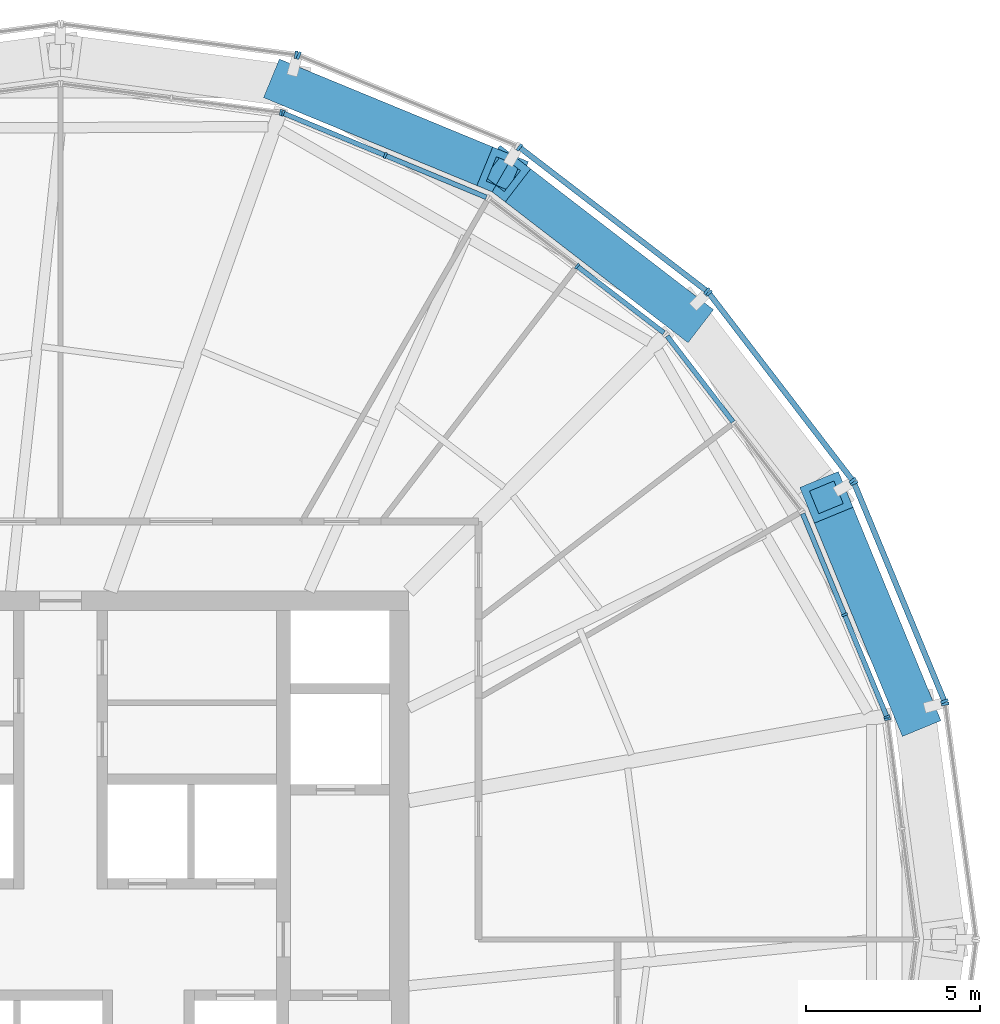
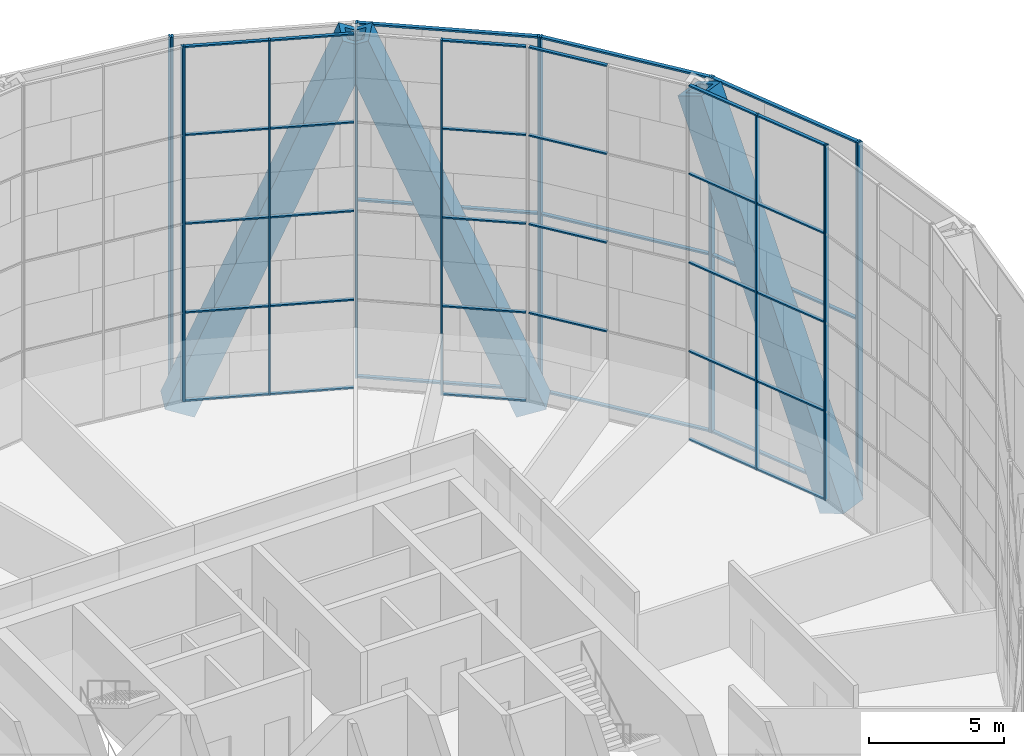
# One storey, part 11 of 30: 57 members, 12 elements without a shape of their own.
"""IFC4 building model written with IfcOpenShell, lengths in metres."""

from ifc_helpers import new_model, si_unit, direction, frame, origin, origin_2d, place, context, subcontext, project, spatial, rectangle, hollow_rectangle, extrude, material, material_profile, profile_set, type_object, element, aggregate, save


model = new_model("IFC4")

# Units and contexts
model_context = context("Model", 3, precision=1e-05, world=origin(), true_north=direction((0.0, 1.0)))
body_context = subcontext(model_context, "Body", "Model", "MODEL_VIEW")
ifc_project = project(units=[si_unit("LENGTHUNIT", "METRE"), si_unit("AREAUNIT", "SQUARE_METRE"), si_unit("VOLUMEUNIT", "CUBIC_METRE"), si_unit("PLANEANGLEUNIT", "RADIAN"), si_unit("MASSUNIT", "GRAM", prefix="KILO")], contexts=[model_context])

# Site, building, storey
site_placement = place(None, origin())
site = spatial("IfcSite", under=ifc_project, at=site_placement, CompositionType="ELEMENT")
building_placement = place(site_placement, origin())
building = spatial("IfcBuilding", under=site, at=building_placement, Name="Golbaran Civic Tower", CompositionType="ELEMENT")
storey_placement = place(building_placement, frame((0.0, 0.0, 102.0)))
storey = spatial("IfcBuildingStorey", under=building, at=storey_placement, Name="L24", CompositionType="ELEMENT", Elevation=102.0)

# Members
ifc_material_1 = material(Name="Steel S355", Category="steel")
ifc_material_profile_1 = material_profile(ifc_material_1, hollow_rectangle(XDim=1.199951171875, YDim=1.199951171875, WallThickness=0.219970703125, at=origin_2d()), Name="BOX 1200x1200x220")
ifc_profile_set_1 = profile_set([ifc_material_profile_1], Name="Steel S355")
member_type_1 = type_object("IfcMemberType", Name="DIAGRID DIAGONAL BOX 1200x1200x220", PredefinedType="BRACE", material=ifc_profile_set_1)
member_1_placement = place(storey_placement, frame((24.51611328125, 6.569091796875, -0.7099609375), z_axis=(-0.145808380158, 0.353814050585, 0.923880692451), x_axis=(-0.924567435583, -0.381018447137, 0.0)))
element("IfcMember", 1, at=member_1_placement, inside=storey, type_object=member_type_1, Name="Diagonal D05-00R L24-L28", PredefinedType="BRACE", context=body_context, shape_type="SweptSolid", body=[
    extrude(hollow_rectangle(XDim=1.199951171875, YDim=1.199951171875, WallThickness=0.219970703125, at=origin_2d()), origin(), (0.0, 0.0, 1.0), 17.318359375),
])
member_2_placement = place(storey_placement, frame((17.947021484375, 17.947021484375, -0.7099609375), z_axis=(-0.303176942092, 0.233507991668, 0.923881897003), x_axis=(-0.61019489003, -0.792251346595, 0.0)))
element("IfcMember", 2, at=member_2_placement, inside=storey, type_object=member_type_1, Name="Diagonal D05-01R L24-L28", PredefinedType="BRACE", context=body_context, shape_type="SweptSolid", body=[
    extrude(hollow_rectangle(XDim=1.199951171875, YDim=1.199951171875, WallThickness=0.219970703125, at=origin_2d()), origin(), (0.0, 0.0, 1.0), 17.318115234375),
])
member_3_placement = place(storey_placement, frame((6.569091796875, 24.51611328125, -0.7099609375), z_axis=(0.353814050585, -0.145808380158, 0.923880692451), x_axis=(0.381018447137, 0.924567435583, 0.0)))
element("IfcMember", 3, at=member_3_placement, inside=storey, type_object=member_type_1, Name="Diagonal D05-02L L24-L28", PredefinedType="BRACE", context=body_context, shape_type="SweptSolid", body=[
    extrude(hollow_rectangle(XDim=1.199951171875, YDim=1.199951171875, WallThickness=0.219970703125, at=origin_2d()), origin(), (0.0, 0.0, 1.0), 17.318359375),
])

# Curtain wall, member
ifc_material_2 = material(Name="Aluminium and glass", Category="aluminium")
curtain_wall_type_1 = type_object("IfcCurtainWallType", Name="INNER SKIN CURTAIN WALL", PredefinedType="NOTDEFINED", material=ifc_material_2)
curtain_wall_1_placement = place(storey_placement, origin())
curtain_wall_1 = element("IfcCurtainWall", 4, at=curtain_wall_1_placement, inside=storey, type_object=curtain_wall_type_1, Name="Inner skin L24 facet 1 CW1", ObjectType="INNER SKIN", PredefinedType="USERDEFINED")
ifc_material_3 = material(Name="Aluminium", Category="aluminium")
ifc_material_profile_2 = material_profile(ifc_material_3, rectangle(XDim=0.179931640625, YDim=0.06494140625, at=origin_2d()), Name="INNER SKIN CURTAIN WALL MULLION")
ifc_profile_set_2 = profile_set([ifc_material_profile_2], Name="Aluminium")
member_type_2 = type_object("IfcMemberType", Name="INNER SKIN CURTAIN WALL MULLION", PredefinedType="MULLION", material=ifc_profile_set_2)
member_4_placement = place(storey_placement, frame((23.744873046875, 6.3291015625, 0.0), z_axis=(0.0, 0.0, 1.0), x_axis=(-0.991444861385, -0.130526192134, 0.0)))
member_4 = element("IfcMember", 5, at=member_4_placement, type_object=member_type_2, Name="CW1 mullion 3", PredefinedType="MULLION", context=body_context, shape_type="SweptSolid", body=[
    extrude(rectangle(XDim=0.179931640625, YDim=0.06494140625, at=origin_2d()), origin(), (0.0, 0.0, 1.0), 16.0),
])
aggregate(curtain_wall_1, [member_4])

# Curtain wall, members
curtain_wall_2_placement = place(storey_placement, origin())
curtain_wall_2 = element("IfcCurtainWall", 6, at=curtain_wall_2_placement, inside=storey, type_object=curtain_wall_type_1, Name="Inner skin L24 facet 2 CW1", ObjectType="INNER SKIN", PredefinedType="USERDEFINED")
member_5_placement = place(storey_placement, frame((23.72802734375, 6.391357421875, 0.0), z_axis=(0.0, 0.0, 1.0), x_axis=(-0.923879532465, -0.382683432478, 0.0)))
member_5 = element("IfcMember", 7, at=member_5_placement, type_object=member_type_2, Name="CW1 mullion 1", PredefinedType="MULLION", context=body_context, shape_type="SweptSolid", body=[
    extrude(rectangle(XDim=0.179931640625, YDim=0.06494140625, at=origin_2d()), origin(), (0.0, 0.0, 1.0), 16.0),
])
member_6_placement = place(storey_placement, frame((22.512939453125, 9.3251953125, 0.0), z_axis=(0.0, 0.0, 1.0), x_axis=(-0.923879532465, -0.382683432478, 0.0)))
member_6 = element("IfcMember", 8, at=member_6_placement, type_object=member_type_2, Name="CW1 mullion 2", PredefinedType="MULLION", context=body_context, shape_type="SweptSolid", body=[
    extrude(rectangle(XDim=0.179931640625, YDim=0.06494140625, at=origin_2d()), origin(), (0.0, 0.0, 1.0), 16.0),
])

# Curtain wall, member
curtain_wall_3_placement = place(storey_placement, origin())
curtain_wall_3 = element("IfcCurtainWall", 9, at=curtain_wall_3_placement, inside=storey, type_object=curtain_wall_type_1, Name="Inner skin L24 facet 4 CW1", ObjectType="INNER SKIN", PredefinedType="USERDEFINED")
member_7_placement = place(storey_placement, frame((14.834228515625, 19.332275390625, 0.0), z_axis=(0.0, 0.0, 1.0), x_axis=(-0.608761428995, -0.793353340302, 0.0)))
member_7 = element("IfcMember", 10, at=member_7_placement, type_object=member_type_2, Name="CW1 mullion 2", PredefinedType="MULLION", context=body_context, shape_type="SweptSolid", body=[
    extrude(rectangle(XDim=0.179931640625, YDim=0.06494140625, at=origin_2d()), origin(), (0.0, 0.0, 1.0), 16.0),
])

# Curtain wall, members
curtain_wall_4_placement = place(storey_placement, origin())
curtain_wall_4 = element("IfcCurtainWall", 11, at=curtain_wall_4_placement, inside=storey, type_object=curtain_wall_type_1, Name="Inner skin L24 facet 5 CW1", ObjectType="INNER SKIN", PredefinedType="USERDEFINED")
member_8_placement = place(storey_placement, frame((9.3251953125, 22.512939453125, 0.0), z_axis=(0.0, 0.0, 1.0), x_axis=(-0.382683432478, -0.923879532465, 0.0)))
member_8 = element("IfcMember", 12, at=member_8_placement, type_object=member_type_2, Name="CW1 mullion 2", PredefinedType="MULLION", context=body_context, shape_type="SweptSolid", body=[
    extrude(rectangle(XDim=0.179931640625, YDim=0.06494140625, at=origin_2d()), origin(), (0.0, 0.0, 1.0), 16.0),
])
member_9_placement = place(storey_placement, frame((6.391357421875, 23.72802734375, 0.0), z_axis=(0.0, 0.0, 1.0), x_axis=(-0.382683432478, -0.923879532465, 0.0)))
member_9 = element("IfcMember", 13, at=member_9_placement, type_object=member_type_2, Name="CW1 mullion 3", PredefinedType="MULLION", context=body_context, shape_type="SweptSolid", body=[
    extrude(rectangle(XDim=0.179931640625, YDim=0.06494140625, at=origin_2d()), origin(), (0.0, 0.0, 1.0), 16.0),
])

# Curtain wall, member
curtain_wall_5_placement = place(storey_placement, origin())
curtain_wall_5 = element("IfcCurtainWall", 14, at=curtain_wall_5_placement, inside=storey, type_object=curtain_wall_type_1, Name="Inner skin L24 facet 6 CW1", ObjectType="INNER SKIN", PredefinedType="USERDEFINED")
member_10_placement = place(storey_placement, frame((6.3291015625, 23.744873046875, 0.0), z_axis=(0.0, 0.0, 1.0), x_axis=(-0.130526192134, -0.991444861385, 0.0)))
member_10 = element("IfcMember", 15, at=member_10_placement, type_object=member_type_2, Name="CW1 mullion 1", PredefinedType="MULLION", context=body_context, shape_type="SweptSolid", body=[
    extrude(rectangle(XDim=0.179931640625, YDim=0.06494140625, at=origin_2d()), origin(), (0.0, 0.0, 1.0), 16.0),
])
aggregate(curtain_wall_5, [member_10])

# Member
ifc_material_profile_3 = material_profile(ifc_material_3, rectangle(XDim=0.139892578125, YDim=0.06494140625, at=origin_2d()), Name="INNER SKIN CURTAIN WALL TRANSOM")
ifc_profile_set_3 = profile_set([ifc_material_profile_3], Name="Aluminium")
member_type_3 = type_object("IfcMemberType", Name="INNER SKIN CURTAIN WALL TRANSOM", PredefinedType="USERDEFINED", material=ifc_profile_set_3)
member_11_placement = place(storey_placement, frame((23.715576171875, 6.42138671875, 0.032470703125), z_axis=(-0.382636009992, 0.923899174075, 0.0), x_axis=(-0.923899174075, -0.382636009992, 0.0)))
member_11 = element("IfcMember", 16, at=member_11_placement, type_object=member_type_3, Name="CW1 transom 1.1", ObjectType="TRANSOM", PredefinedType="USERDEFINED", context=body_context, shape_type="SweptSolid", body=[
    extrude(rectangle(XDim=0.139892578125, YDim=0.06494140625, at=origin_2d()), origin(), (0.0, 0.0, 1.0), 3.110595703125),
])

member_12_placement = place(storey_placement, frame((23.715576171875, 6.42138671875, 4.0), z_axis=(-0.382636009992, 0.923899174075, 0.0), x_axis=(-0.923899174075, -0.382636009992, 0.0)))
member_12 = element("IfcMember", 17, at=member_12_placement, type_object=member_type_3, Name="CW1 transom 1.2", ObjectType="TRANSOM", PredefinedType="USERDEFINED", context=body_context, shape_type="SweptSolid", body=[
    extrude(rectangle(XDim=0.139892578125, YDim=0.06494140625, at=origin_2d()), origin(), (0.0, 0.0, 1.0), 3.110595703125),
])

member_13_placement = place(storey_placement, frame((23.715576171875, 6.42138671875, 8.0), z_axis=(-0.382636009992, 0.923899174075, 0.0), x_axis=(-0.923899174075, -0.382636009992, 0.0)))
member_13 = element("IfcMember", 18, at=member_13_placement, type_object=member_type_3, Name="CW1 transom 1.3", ObjectType="TRANSOM", PredefinedType="USERDEFINED", context=body_context, shape_type="SweptSolid", body=[
    extrude(rectangle(XDim=0.139892578125, YDim=0.06494140625, at=origin_2d()), origin(), (0.0, 0.0, 1.0), 3.110595703125),
])

member_14_placement = place(storey_placement, frame((23.715576171875, 6.42138671875, 12.0), z_axis=(-0.382636009992, 0.923899174075, 0.0), x_axis=(-0.923899174075, -0.382636009992, 0.0)))
member_14 = element("IfcMember", 19, at=member_14_placement, type_object=member_type_3, Name="CW1 transom 1.4", ObjectType="TRANSOM", PredefinedType="USERDEFINED", context=body_context, shape_type="SweptSolid", body=[
    extrude(rectangle(XDim=0.139892578125, YDim=0.06494140625, at=origin_2d()), origin(), (0.0, 0.0, 1.0), 3.110595703125),
])

member_15_placement = place(storey_placement, frame((23.715576171875, 6.42138671875, 15.967529296875), z_axis=(-0.382636009992, 0.923899174075, 0.0), x_axis=(-0.923899174075, -0.382636009992, 0.0)))
member_15 = element("IfcMember", 20, at=member_15_placement, type_object=member_type_3, Name="CW1 transom 1.5", ObjectType="TRANSOM", PredefinedType="USERDEFINED", context=body_context, shape_type="SweptSolid", body=[
    extrude(rectangle(XDim=0.139892578125, YDim=0.06494140625, at=origin_2d()), origin(), (0.0, 0.0, 1.0), 3.110595703125),
])

member_16_placement = place(storey_placement, frame((22.50048828125, 9.355224609375, 0.032470703125), z_axis=(-0.382703004748, 0.923871425122, 0.0), x_axis=(-0.923871425122, -0.382703004748, 0.0)))
member_16 = element("IfcMember", 21, at=member_16_placement, type_object=member_type_3, Name="CW1 transom 2.1", ObjectType="TRANSOM", PredefinedType="USERDEFINED", context=body_context, shape_type="SweptSolid", body=[
    extrude(rectangle(XDim=0.139892578125, YDim=0.06494140625, at=origin_2d()), origin(), (0.0, 0.0, 1.0), 3.110595703125),
])

member_17_placement = place(storey_placement, frame((22.50048828125, 9.355224609375, 4.0), z_axis=(-0.382703004748, 0.923871425122, 0.0), x_axis=(-0.923871425122, -0.382703004748, 0.0)))
member_17 = element("IfcMember", 22, at=member_17_placement, type_object=member_type_3, Name="CW1 transom 2.2", ObjectType="TRANSOM", PredefinedType="USERDEFINED", context=body_context, shape_type="SweptSolid", body=[
    extrude(rectangle(XDim=0.139892578125, YDim=0.06494140625, at=origin_2d()), origin(), (0.0, 0.0, 1.0), 3.110595703125),
])

member_18_placement = place(storey_placement, frame((22.50048828125, 9.355224609375, 8.0), z_axis=(-0.382703004748, 0.923871425122, 0.0), x_axis=(-0.923871425122, -0.382703004748, 0.0)))
member_18 = element("IfcMember", 23, at=member_18_placement, type_object=member_type_3, Name="CW1 transom 2.3", ObjectType="TRANSOM", PredefinedType="USERDEFINED", context=body_context, shape_type="SweptSolid", body=[
    extrude(rectangle(XDim=0.139892578125, YDim=0.06494140625, at=origin_2d()), origin(), (0.0, 0.0, 1.0), 3.110595703125),
])

member_19_placement = place(storey_placement, frame((22.50048828125, 9.355224609375, 12.0), z_axis=(-0.382703004748, 0.923871425122, 0.0), x_axis=(-0.923871425122, -0.382703004748, 0.0)))
member_19 = element("IfcMember", 24, at=member_19_placement, type_object=member_type_3, Name="CW1 transom 2.4", ObjectType="TRANSOM", PredefinedType="USERDEFINED", context=body_context, shape_type="SweptSolid", body=[
    extrude(rectangle(XDim=0.139892578125, YDim=0.06494140625, at=origin_2d()), origin(), (0.0, 0.0, 1.0), 3.110595703125),
])

member_20_placement = place(storey_placement, frame((22.50048828125, 9.355224609375, 15.967529296875), z_axis=(-0.382703004748, 0.923871425122, 0.0), x_axis=(-0.923871425122, -0.382703004748, 0.0)))
member_20 = element("IfcMember", 25, at=member_20_placement, type_object=member_type_3, Name="CW1 transom 2.5", ObjectType="TRANSOM", PredefinedType="USERDEFINED", context=body_context, shape_type="SweptSolid", body=[
    extrude(rectangle(XDim=0.139892578125, YDim=0.06494140625, at=origin_2d()), origin(), (0.0, 0.0, 1.0), 3.110595703125),
])

aggregate(curtain_wall_2, [member_5, member_6, member_11, member_12, member_13, member_14, member_15, member_16, member_17, member_18, member_19, member_20])

# Curtain wall, members
curtain_wall_6_placement = place(storey_placement, origin())
curtain_wall_6 = element("IfcCurtainWall", 26, at=curtain_wall_6_placement, inside=storey, type_object=curtain_wall_type_1, Name="Inner skin L24 facet 3 CW1", ObjectType="INNER SKIN", PredefinedType="USERDEFINED")
member_21_placement = place(storey_placement, frame((19.3125, 14.85986328125, 4.0), z_axis=(-0.608754453805, 0.793358692504, 0.0), x_axis=(-0.793358692504, -0.608754453805, 0.0)))
member_21 = element("IfcMember", 27, at=member_21_placement, type_object=member_type_3, Name="CW1 transom 2.2", ObjectType="TRANSOM", PredefinedType="USERDEFINED", context=body_context, shape_type="SweptSolid", body=[
    extrude(rectangle(XDim=0.139892578125, YDim=0.06494140625, at=origin_2d()), origin(), (0.0, 0.0, 1.0), 3.110595703125),
])
member_22_placement = place(storey_placement, frame((19.3125, 14.85986328125, 8.0), z_axis=(-0.608754453805, 0.793358692504, 0.0), x_axis=(-0.793358692504, -0.608754453805, 0.0)))
member_22 = element("IfcMember", 28, at=member_22_placement, type_object=member_type_3, Name="CW1 transom 2.3", ObjectType="TRANSOM", PredefinedType="USERDEFINED", context=body_context, shape_type="SweptSolid", body=[
    extrude(rectangle(XDim=0.139892578125, YDim=0.06494140625, at=origin_2d()), origin(), (0.0, 0.0, 1.0), 3.110595703125),
])
member_23_placement = place(storey_placement, frame((19.3125, 14.85986328125, 12.0), z_axis=(-0.608754453805, 0.793358692504, 0.0), x_axis=(-0.793358692504, -0.608754453805, 0.0)))
member_23 = element("IfcMember", 29, at=member_23_placement, type_object=member_type_3, Name="CW1 transom 2.4", ObjectType="TRANSOM", PredefinedType="USERDEFINED", context=body_context, shape_type="SweptSolid", body=[
    extrude(rectangle(XDim=0.139892578125, YDim=0.06494140625, at=origin_2d()), origin(), (0.0, 0.0, 1.0), 3.110595703125),
])
member_24_placement = place(storey_placement, frame((19.3125, 14.85986328125, 15.967529296875), z_axis=(-0.608754453805, 0.793358692504, 0.0), x_axis=(-0.793358692504, -0.608754453805, 0.0)))
member_24 = element("IfcMember", 30, at=member_24_placement, type_object=member_type_3, Name="CW1 transom 2.5", ObjectType="TRANSOM", PredefinedType="USERDEFINED", context=body_context, shape_type="SweptSolid", body=[
    extrude(rectangle(XDim=0.139892578125, YDim=0.06494140625, at=origin_2d()), origin(), (0.0, 0.0, 1.0), 3.110595703125),
])
aggregate(curtain_wall_6, [member_21, member_22, member_23, member_24])

# Member
member_25_placement = place(storey_placement, frame((17.32763671875, 17.4189453125, 0.032470703125), z_axis=(-0.793358692504, 0.608754453805, 0.0), x_axis=(-0.608754453805, -0.793358692504, 0.0)))
member_25 = element("IfcMember", 31, at=member_25_placement, type_object=member_type_3, Name="CW1 transom 1.1", ObjectType="TRANSOM", PredefinedType="USERDEFINED", context=body_context, shape_type="SweptSolid", body=[
    extrude(rectangle(XDim=0.139892578125, YDim=0.06494140625, at=origin_2d()), origin(), (0.0, 0.0, 1.0), 3.110595703125),
])

member_26_placement = place(storey_placement, frame((17.32763671875, 17.4189453125, 4.0), z_axis=(-0.793358692504, 0.608754453805, 0.0), x_axis=(-0.608754453805, -0.793358692504, 0.0)))
member_26 = element("IfcMember", 32, at=member_26_placement, type_object=member_type_3, Name="CW1 transom 1.2", ObjectType="TRANSOM", PredefinedType="USERDEFINED", context=body_context, shape_type="SweptSolid", body=[
    extrude(rectangle(XDim=0.139892578125, YDim=0.06494140625, at=origin_2d()), origin(), (0.0, 0.0, 1.0), 3.110595703125),
])

member_27_placement = place(storey_placement, frame((17.32763671875, 17.4189453125, 8.0), z_axis=(-0.793358692504, 0.608754453805, 0.0), x_axis=(-0.608754453805, -0.793358692504, 0.0)))
member_27 = element("IfcMember", 33, at=member_27_placement, type_object=member_type_3, Name="CW1 transom 1.3", ObjectType="TRANSOM", PredefinedType="USERDEFINED", context=body_context, shape_type="SweptSolid", body=[
    extrude(rectangle(XDim=0.139892578125, YDim=0.06494140625, at=origin_2d()), origin(), (0.0, 0.0, 1.0), 3.110595703125),
])

member_28_placement = place(storey_placement, frame((17.32763671875, 17.4189453125, 12.0), z_axis=(-0.793358692504, 0.608754453805, 0.0), x_axis=(-0.608754453805, -0.793358692504, 0.0)))
member_28 = element("IfcMember", 34, at=member_28_placement, type_object=member_type_3, Name="CW1 transom 1.4", ObjectType="TRANSOM", PredefinedType="USERDEFINED", context=body_context, shape_type="SweptSolid", body=[
    extrude(rectangle(XDim=0.139892578125, YDim=0.06494140625, at=origin_2d()), origin(), (0.0, 0.0, 1.0), 3.110595703125),
])

member_29_placement = place(storey_placement, frame((17.32763671875, 17.4189453125, 15.967529296875), z_axis=(-0.793358692504, 0.608754453805, 0.0), x_axis=(-0.608754453805, -0.793358692504, 0.0)))
member_29 = element("IfcMember", 35, at=member_29_placement, type_object=member_type_3, Name="CW1 transom 1.5", ObjectType="TRANSOM", PredefinedType="USERDEFINED", context=body_context, shape_type="SweptSolid", body=[
    extrude(rectangle(XDim=0.139892578125, YDim=0.06494140625, at=origin_2d()), origin(), (0.0, 0.0, 1.0), 3.110595703125),
])

aggregate(curtain_wall_3, [member_7, member_25, member_26, member_27, member_28, member_29])

member_30_placement = place(storey_placement, frame((12.22900390625, 21.31005859375, 0.032470703125), z_axis=(-0.923871425122, 0.382703004748, 0.0), x_axis=(-0.382703004748, -0.923871425122, 0.0)))
member_30 = element("IfcMember", 36, at=member_30_placement, type_object=member_type_3, Name="CW1 transom 1.1", ObjectType="TRANSOM", PredefinedType="USERDEFINED", context=body_context, shape_type="SweptSolid", body=[
    extrude(rectangle(XDim=0.139892578125, YDim=0.06494140625, at=origin_2d()), origin(), (0.0, 0.0, 1.0), 3.110595703125),
])

member_31_placement = place(storey_placement, frame((12.22900390625, 21.31005859375, 4.0), z_axis=(-0.923871425122, 0.382703004748, 0.0), x_axis=(-0.382703004748, -0.923871425122, 0.0)))
member_31 = element("IfcMember", 37, at=member_31_placement, type_object=member_type_3, Name="CW1 transom 1.2", ObjectType="TRANSOM", PredefinedType="USERDEFINED", context=body_context, shape_type="SweptSolid", body=[
    extrude(rectangle(XDim=0.139892578125, YDim=0.06494140625, at=origin_2d()), origin(), (0.0, 0.0, 1.0), 3.110595703125),
])

member_32_placement = place(storey_placement, frame((12.22900390625, 21.31005859375, 8.0), z_axis=(-0.923871425122, 0.382703004748, 0.0), x_axis=(-0.382703004748, -0.923871425122, 0.0)))
member_32 = element("IfcMember", 38, at=member_32_placement, type_object=member_type_3, Name="CW1 transom 1.3", ObjectType="TRANSOM", PredefinedType="USERDEFINED", context=body_context, shape_type="SweptSolid", body=[
    extrude(rectangle(XDim=0.139892578125, YDim=0.06494140625, at=origin_2d()), origin(), (0.0, 0.0, 1.0), 3.110595703125),
])

member_33_placement = place(storey_placement, frame((12.22900390625, 21.31005859375, 12.0), z_axis=(-0.923871425122, 0.382703004748, 0.0), x_axis=(-0.382703004748, -0.923871425122, 0.0)))
member_33 = element("IfcMember", 39, at=member_33_placement, type_object=member_type_3, Name="CW1 transom 1.4", ObjectType="TRANSOM", PredefinedType="USERDEFINED", context=body_context, shape_type="SweptSolid", body=[
    extrude(rectangle(XDim=0.139892578125, YDim=0.06494140625, at=origin_2d()), origin(), (0.0, 0.0, 1.0), 3.110595703125),
])

member_34_placement = place(storey_placement, frame((12.22900390625, 21.31005859375, 15.967529296875), z_axis=(-0.923871425122, 0.382703004748, 0.0), x_axis=(-0.382703004748, -0.923871425122, 0.0)))
member_34 = element("IfcMember", 40, at=member_34_placement, type_object=member_type_3, Name="CW1 transom 1.5", ObjectType="TRANSOM", PredefinedType="USERDEFINED", context=body_context, shape_type="SweptSolid", body=[
    extrude(rectangle(XDim=0.139892578125, YDim=0.06494140625, at=origin_2d()), origin(), (0.0, 0.0, 1.0), 3.110595703125),
])

member_35_placement = place(storey_placement, frame((9.295166015625, 22.525390625, 0.032470703125), z_axis=(-0.923899174075, 0.382636009992, 0.0), x_axis=(-0.382636009992, -0.923899174075, 0.0)))
member_35 = element("IfcMember", 41, at=member_35_placement, type_object=member_type_3, Name="CW1 transom 2.1", ObjectType="TRANSOM", PredefinedType="USERDEFINED", context=body_context, shape_type="SweptSolid", body=[
    extrude(rectangle(XDim=0.139892578125, YDim=0.06494140625, at=origin_2d()), origin(), (0.0, 0.0, 1.0), 3.110595703125),
])

member_36_placement = place(storey_placement, frame((9.295166015625, 22.525390625, 4.0), z_axis=(-0.923899174075, 0.382636009992, 0.0), x_axis=(-0.382636009992, -0.923899174075, 0.0)))
member_36 = element("IfcMember", 42, at=member_36_placement, type_object=member_type_3, Name="CW1 transom 2.2", ObjectType="TRANSOM", PredefinedType="USERDEFINED", context=body_context, shape_type="SweptSolid", body=[
    extrude(rectangle(XDim=0.139892578125, YDim=0.06494140625, at=origin_2d()), origin(), (0.0, 0.0, 1.0), 3.110595703125),
])

member_37_placement = place(storey_placement, frame((9.295166015625, 22.525390625, 8.0), z_axis=(-0.923899174075, 0.382636009992, 0.0), x_axis=(-0.382636009992, -0.923899174075, 0.0)))
member_37 = element("IfcMember", 43, at=member_37_placement, type_object=member_type_3, Name="CW1 transom 2.3", ObjectType="TRANSOM", PredefinedType="USERDEFINED", context=body_context, shape_type="SweptSolid", body=[
    extrude(rectangle(XDim=0.139892578125, YDim=0.06494140625, at=origin_2d()), origin(), (0.0, 0.0, 1.0), 3.110595703125),
])

member_38_placement = place(storey_placement, frame((9.295166015625, 22.525390625, 12.0), z_axis=(-0.923899174075, 0.382636009992, 0.0), x_axis=(-0.382636009992, -0.923899174075, 0.0)))
member_38 = element("IfcMember", 44, at=member_38_placement, type_object=member_type_3, Name="CW1 transom 2.4", ObjectType="TRANSOM", PredefinedType="USERDEFINED", context=body_context, shape_type="SweptSolid", body=[
    extrude(rectangle(XDim=0.139892578125, YDim=0.06494140625, at=origin_2d()), origin(), (0.0, 0.0, 1.0), 3.110595703125),
])

member_39_placement = place(storey_placement, frame((9.295166015625, 22.525390625, 15.967529296875), z_axis=(-0.923899174075, 0.382636009992, 0.0), x_axis=(-0.382636009992, -0.923899174075, 0.0)))
member_39 = element("IfcMember", 45, at=member_39_placement, type_object=member_type_3, Name="CW1 transom 2.5", ObjectType="TRANSOM", PredefinedType="USERDEFINED", context=body_context, shape_type="SweptSolid", body=[
    extrude(rectangle(XDim=0.139892578125, YDim=0.06494140625, at=origin_2d()), origin(), (0.0, 0.0, 1.0), 3.110595703125),
])

aggregate(curtain_wall_4, [member_8, member_9, member_30, member_31, member_32, member_33, member_34, member_35, member_36, member_37, member_38, member_39])

# Curtain wall, member
curtain_wall_type_2 = type_object("IfcCurtainWallType", Name="OUTER SKIN TERRACOTTA SCREEN", PredefinedType="NOTDEFINED", material=ifc_material_2)
curtain_wall_7_placement = place(storey_placement, origin())
curtain_wall_7 = element("IfcCurtainWall", 46, at=curtain_wall_7_placement, inside=storey, type_object=curtain_wall_type_2, Name="Outer skin L24 facet 1 CW3", ObjectType="OUTER SKIN", PredefinedType="USERDEFINED")
ifc_material_profile_4 = material_profile(ifc_material_3, rectangle(XDim=0.219970703125, YDim=0.080078125, at=origin_2d()), Name="OUTER SKIN TERRACOTTA SCREEN MULLION")
ifc_profile_set_4 = profile_set([ifc_material_profile_4], Name="Aluminium")
member_type_4 = type_object("IfcMemberType", Name="OUTER SKIN TERRACOTTA SCREEN MULLION", PredefinedType="MULLION", material=ifc_profile_set_4)
member_40_placement = place(storey_placement, frame((25.40234375, 6.765380859375, -0.7099609375), z_axis=(0.0, 0.0, 1.0), x_axis=(-0.991444861381, -0.130526192168, 0.0)))
member_40 = element("IfcMember", 47, at=member_40_placement, type_object=member_type_4, Name="CW3 mullion 2", PredefinedType="MULLION", context=body_context, shape_type="SweptSolid", body=[
    extrude(rectangle(XDim=0.219970703125, YDim=0.080078125, at=origin_2d()), origin(), (0.0, 0.0, 1.0), 16.0),
])
aggregate(curtain_wall_7, [member_40])

# Curtain wall, members
curtain_wall_8_placement = place(storey_placement, origin())
curtain_wall_8 = element("IfcCurtainWall", 48, at=curtain_wall_8_placement, inside=storey, type_object=curtain_wall_type_2, Name="Outer skin L24 facet 2 CW3", ObjectType="OUTER SKIN", PredefinedType="USERDEFINED")
member_41_placement = place(storey_placement, frame((25.3818359375, 6.842041015625, -0.7099609375), z_axis=(0.0, 0.0, 1.0), x_axis=(-0.923879532505, -0.382683432381, 0.0)))
member_41 = element("IfcMember", 49, at=member_41_placement, type_object=member_type_4, Name="CW3 mullion 1", PredefinedType="MULLION", context=body_context, shape_type="SweptSolid", body=[
    extrude(rectangle(XDim=0.219970703125, YDim=0.080078125, at=origin_2d()), origin(), (0.0, 0.0, 1.0), 16.0),
])
member_42_placement = place(storey_placement, frame((22.78564453125, 13.109619140625, -0.7099609375), z_axis=(0.0, 0.0, 1.0), x_axis=(-0.923879532505, -0.382683432381, 0.0)))
member_42 = element("IfcMember", 50, at=member_42_placement, type_object=member_type_4, Name="CW3 mullion 2", PredefinedType="MULLION", context=body_context, shape_type="SweptSolid", body=[
    extrude(rectangle(XDim=0.219970703125, YDim=0.080078125, at=origin_2d()), origin(), (0.0, 0.0, 1.0), 16.0),
])

curtain_wall_9_placement = place(storey_placement, origin())
curtain_wall_9 = element("IfcCurtainWall", 51, at=curtain_wall_9_placement, inside=storey, type_object=curtain_wall_type_2, Name="Outer skin L24 facet 3 CW3", ObjectType="OUTER SKIN", PredefinedType="USERDEFINED")
member_43_placement = place(storey_placement, frame((22.74609375, 13.17822265625, -0.7099609375), z_axis=(0.0, 0.0, 1.0), x_axis=(-0.793353340302, -0.608761428995, 0.0)))
member_43 = element("IfcMember", 52, at=member_43_placement, type_object=member_type_4, Name="CW3 mullion 1", PredefinedType="MULLION", context=body_context, shape_type="SweptSolid", body=[
    extrude(rectangle(XDim=0.219970703125, YDim=0.080078125, at=origin_2d()), origin(), (0.0, 0.0, 1.0), 16.0),
])
member_44_placement = place(storey_placement, frame((18.6162109375, 18.560302734375, -0.7099609375), z_axis=(0.0, 0.0, 1.0), x_axis=(-0.793353340302, -0.608761428995, 0.0)))
member_44 = element("IfcMember", 53, at=member_44_placement, type_object=member_type_4, Name="CW3 mullion 2", PredefinedType="MULLION", context=body_context, shape_type="SweptSolid", body=[
    extrude(rectangle(XDim=0.219970703125, YDim=0.080078125, at=origin_2d()), origin(), (0.0, 0.0, 1.0), 16.0),
])

curtain_wall_10_placement = place(storey_placement, origin())
curtain_wall_10 = element("IfcCurtainWall", 54, at=curtain_wall_10_placement, inside=storey, type_object=curtain_wall_type_2, Name="Outer skin L24 facet 4 CW3", ObjectType="OUTER SKIN", PredefinedType="USERDEFINED")
member_45_placement = place(storey_placement, frame((18.560302734375, 18.6162109375, -0.7099609375), z_axis=(0.0, 0.0, 1.0), x_axis=(-0.608761428995, -0.793353340302, 0.0)))
member_45 = element("IfcMember", 55, at=member_45_placement, type_object=member_type_4, Name="CW3 mullion 1", PredefinedType="MULLION", context=body_context, shape_type="SweptSolid", body=[
    extrude(rectangle(XDim=0.219970703125, YDim=0.080078125, at=origin_2d()), origin(), (0.0, 0.0, 1.0), 16.0),
])
member_46_placement = place(storey_placement, frame((13.17822265625, 22.74609375, -0.7099609375), z_axis=(0.0, 0.0, 1.0), x_axis=(-0.608761428995, -0.793353340302, 0.0)))
member_46 = element("IfcMember", 56, at=member_46_placement, type_object=member_type_4, Name="CW3 mullion 2", PredefinedType="MULLION", context=body_context, shape_type="SweptSolid", body=[
    extrude(rectangle(XDim=0.219970703125, YDim=0.080078125, at=origin_2d()), origin(), (0.0, 0.0, 1.0), 16.0),
])

# Curtain wall, member
curtain_wall_11_placement = place(storey_placement, origin())
curtain_wall_11 = element("IfcCurtainWall", 57, at=curtain_wall_11_placement, inside=storey, type_object=curtain_wall_type_2, Name="Outer skin L24 facet 5 CW3", ObjectType="OUTER SKIN", PredefinedType="USERDEFINED")
member_47_placement = place(storey_placement, frame((6.842041015625, 25.3818359375, -0.7099609375), z_axis=(0.0, 0.0, 1.0), x_axis=(-0.382683432381, -0.923879532505, 0.0)))
member_47 = element("IfcMember", 58, at=member_47_placement, type_object=member_type_4, Name="CW3 mullion 2", PredefinedType="MULLION", context=body_context, shape_type="SweptSolid", body=[
    extrude(rectangle(XDim=0.219970703125, YDim=0.080078125, at=origin_2d()), origin(), (0.0, 0.0, 1.0), 16.0),
])
aggregate(curtain_wall_11, [member_47])

curtain_wall_12_placement = place(storey_placement, origin())
curtain_wall_12 = element("IfcCurtainWall", 59, at=curtain_wall_12_placement, inside=storey, type_object=curtain_wall_type_2, Name="Outer skin L24 facet 6 CW3", ObjectType="OUTER SKIN", PredefinedType="USERDEFINED")
member_48_placement = place(storey_placement, frame((6.765380859375, 25.40234375, -0.7099609375), z_axis=(0.0, 0.0, 1.0), x_axis=(-0.130526192168, -0.991444861381, 0.0)))
member_48 = element("IfcMember", 60, at=member_48_placement, type_object=member_type_4, Name="CW3 mullion 1", PredefinedType="MULLION", context=body_context, shape_type="SweptSolid", body=[
    extrude(rectangle(XDim=0.219970703125, YDim=0.080078125, at=origin_2d()), origin(), (0.0, 0.0, 1.0), 16.0),
])
aggregate(curtain_wall_12, [member_48])

# Member
ifc_material_profile_5 = material_profile(ifc_material_3, rectangle(XDim=0.159912109375, YDim=0.080078125, at=origin_2d()), Name="OUTER SKIN TERRACOTTA SCREEN TRANSOM")
ifc_profile_set_5 = profile_set([ifc_material_profile_5], Name="Aluminium")
member_type_5 = type_object("IfcMemberType", Name="OUTER SKIN TERRACOTTA SCREEN TRANSOM", PredefinedType="USERDEFINED", material=ifc_profile_set_5)
member_49_placement = place(storey_placement, frame((25.366455078125, 6.879150390625, -0.669921875), z_axis=(-0.382690592899, 0.923876566489, 0.0), x_axis=(-0.923876566489, -0.382690592899, 0.0)))
member_49 = element("IfcMember", 61, at=member_49_placement, type_object=member_type_5, Name="CW3 transom 1.1", ObjectType="TRANSOM", PredefinedType="USERDEFINED", context=body_context, shape_type="SweptSolid", body=[
    extrude(rectangle(XDim=0.159912109375, YDim=0.080078125, at=origin_2d()), origin(), (0.0, 0.0, 1.0), 6.70361328125),
])

member_50_placement = place(storey_placement, frame((25.366455078125, 6.879150390625, 7.2900390625), z_axis=(-0.382690592899, 0.923876566489, 0.0), x_axis=(-0.923876566489, -0.382690592899, 0.0)))
member_50 = element("IfcMember", 62, at=member_50_placement, type_object=member_type_5, Name="CW3 transom 1.2", ObjectType="TRANSOM", PredefinedType="USERDEFINED", context=body_context, shape_type="SweptSolid", body=[
    extrude(rectangle(XDim=0.159912109375, YDim=0.080078125, at=origin_2d()), origin(), (0.0, 0.0, 1.0), 6.70361328125),
])

member_51_placement = place(storey_placement, frame((25.366455078125, 6.879150390625, 15.25), z_axis=(-0.382690592899, 0.923876566489, 0.0), x_axis=(-0.923876566489, -0.382690592899, 0.0)))
member_51 = element("IfcMember", 63, at=member_51_placement, type_object=member_type_5, Name="CW3 transom 1.3", ObjectType="TRANSOM", PredefinedType="USERDEFINED", context=body_context, shape_type="SweptSolid", body=[
    extrude(rectangle(XDim=0.159912109375, YDim=0.080078125, at=origin_2d()), origin(), (0.0, 0.0, 1.0), 6.70361328125),
])

aggregate(curtain_wall_8, [member_41, member_42, member_49, member_50, member_51])

member_52_placement = place(storey_placement, frame((22.7216796875, 13.2099609375, -0.669921875), z_axis=(-0.608756422165, 0.793357182153, 0.0), x_axis=(-0.793357182153, -0.608756422165, 0.0)))
member_52 = element("IfcMember", 64, at=member_52_placement, type_object=member_type_5, Name="CW3 transom 1.1", ObjectType="TRANSOM", PredefinedType="USERDEFINED", context=body_context, shape_type="SweptSolid", body=[
    extrude(rectangle(XDim=0.159912109375, YDim=0.080078125, at=origin_2d()), origin(), (0.0, 0.0, 1.0), 6.703857421875),
])

member_53_placement = place(storey_placement, frame((22.7216796875, 13.2099609375, 7.2900390625), z_axis=(-0.608756422165, 0.793357182153, 0.0), x_axis=(-0.793357182153, -0.608756422165, 0.0)))
member_53 = element("IfcMember", 65, at=member_53_placement, type_object=member_type_5, Name="CW3 transom 1.2", ObjectType="TRANSOM", PredefinedType="USERDEFINED", context=body_context, shape_type="SweptSolid", body=[
    extrude(rectangle(XDim=0.159912109375, YDim=0.080078125, at=origin_2d()), origin(), (0.0, 0.0, 1.0), 6.703857421875),
])

member_54_placement = place(storey_placement, frame((22.7216796875, 13.2099609375, 15.25), z_axis=(-0.608756422165, 0.793357182153, 0.0), x_axis=(-0.793357182153, -0.608756422165, 0.0)))
member_54 = element("IfcMember", 66, at=member_54_placement, type_object=member_type_5, Name="CW3 transom 1.3", ObjectType="TRANSOM", PredefinedType="USERDEFINED", context=body_context, shape_type="SweptSolid", body=[
    extrude(rectangle(XDim=0.159912109375, YDim=0.080078125, at=origin_2d()), origin(), (0.0, 0.0, 1.0), 6.703857421875),
])

aggregate(curtain_wall_9, [member_43, member_44, member_52, member_53, member_54])

member_55_placement = place(storey_placement, frame((18.528564453125, 18.640625, -0.669921875), z_axis=(-0.793357182153, 0.608756422165, 0.0), x_axis=(-0.608756422165, -0.793357182153, 0.0)))
member_55 = element("IfcMember", 67, at=member_55_placement, type_object=member_type_5, Name="CW3 transom 1.1", ObjectType="TRANSOM", PredefinedType="USERDEFINED", context=body_context, shape_type="SweptSolid", body=[
    extrude(rectangle(XDim=0.159912109375, YDim=0.080078125, at=origin_2d()), origin(), (0.0, 0.0, 1.0), 6.703857421875),
])

member_56_placement = place(storey_placement, frame((18.528564453125, 18.640625, 7.2900390625), z_axis=(-0.793357182153, 0.608756422165, 0.0), x_axis=(-0.608756422165, -0.793357182153, 0.0)))
member_56 = element("IfcMember", 68, at=member_56_placement, type_object=member_type_5, Name="CW3 transom 1.2", ObjectType="TRANSOM", PredefinedType="USERDEFINED", context=body_context, shape_type="SweptSolid", body=[
    extrude(rectangle(XDim=0.159912109375, YDim=0.080078125, at=origin_2d()), origin(), (0.0, 0.0, 1.0), 6.703857421875),
])

member_57_placement = place(storey_placement, frame((18.528564453125, 18.640625, 15.25), z_axis=(-0.793357182153, 0.608756422165, 0.0), x_axis=(-0.608756422165, -0.793357182153, 0.0)))
member_57 = element("IfcMember", 69, at=member_57_placement, type_object=member_type_5, Name="CW3 transom 1.3", ObjectType="TRANSOM", PredefinedType="USERDEFINED", context=body_context, shape_type="SweptSolid", body=[
    extrude(rectangle(XDim=0.159912109375, YDim=0.080078125, at=origin_2d()), origin(), (0.0, 0.0, 1.0), 6.703857421875),
])

aggregate(curtain_wall_10, [member_45, member_46, member_55, member_56, member_57])

save(model, "model.ifc")
